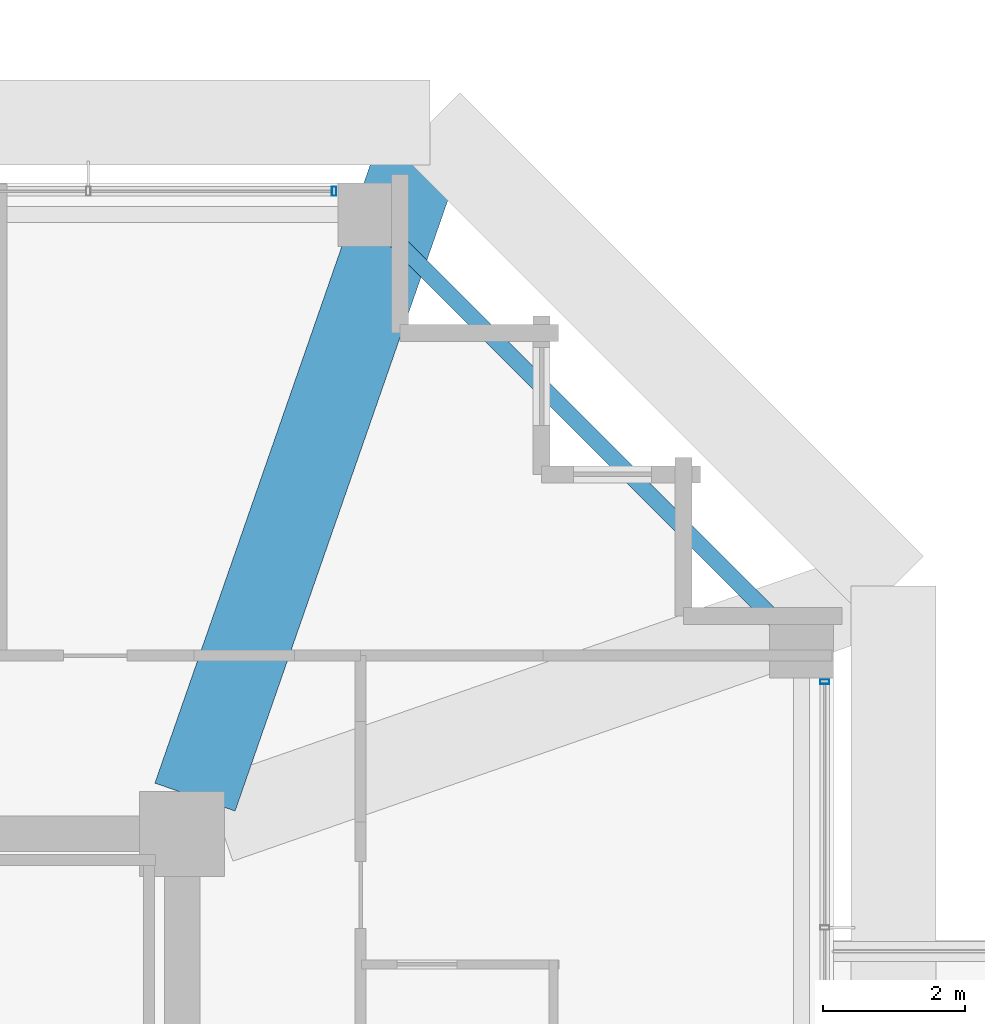
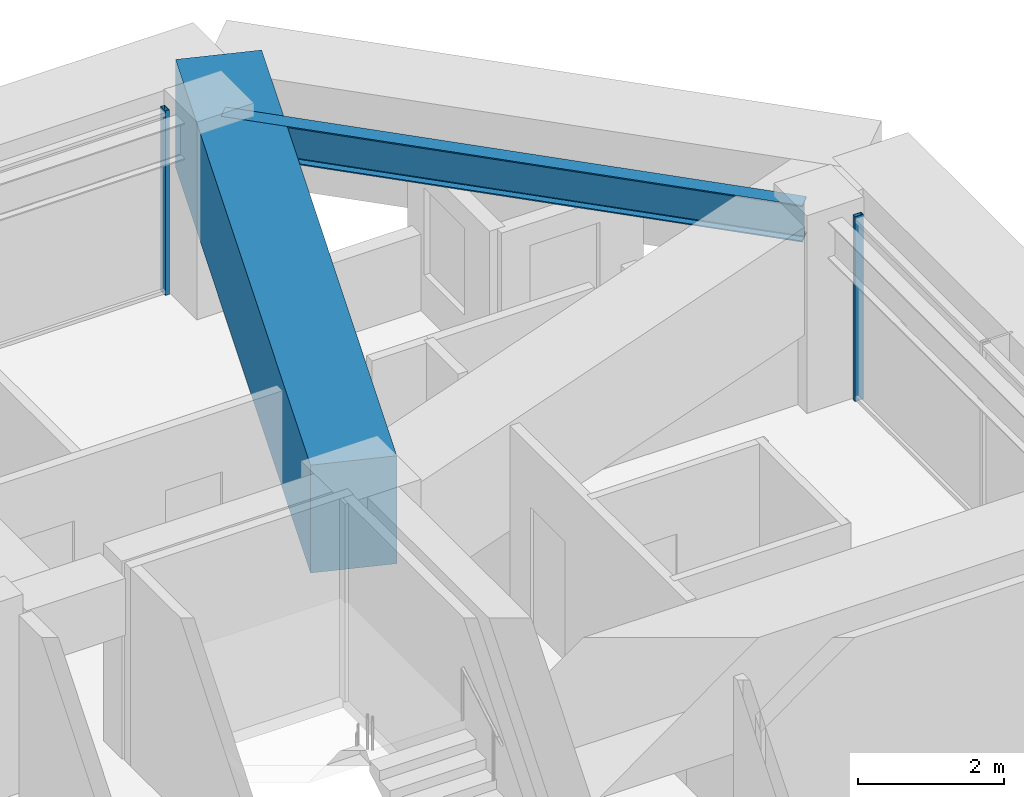
# One storey, part 27 of 40: 2 beams, 2 members, 2 elements without a shape of their own.
"""IFC4 building model written with IfcOpenShell, lengths in metres."""

from ifc_helpers import new_model, si_unit, direction, frame, origin, origin_2d, place, context, subcontext, project, spatial, rectangle, hollow_rectangle, i_section, extrude, material, material_profile, profile_set, type_object, element, aggregate, save


model = new_model("IFC4")

# Units and contexts
model_context = context("Model", 3, precision=1e-05, world=origin(), true_north=direction((0.0, 1.0)))
body_context = subcontext(model_context, "Body", "Model", "MODEL_VIEW")
ifc_project = project(units=[si_unit("LENGTHUNIT", "METRE"), si_unit("AREAUNIT", "SQUARE_METRE"), si_unit("VOLUMEUNIT", "CUBIC_METRE"), si_unit("PLANEANGLEUNIT", "RADIAN"), si_unit("MASSUNIT", "GRAM", prefix="KILO")], contexts=[model_context])

# Site, building, storey
site_placement = place(None, origin())
site = spatial("IfcSite", under=ifc_project, at=site_placement, CompositionType="ELEMENT")
building_placement = place(site_placement, origin())
building = spatial("IfcBuilding", under=site, at=building_placement, Name="Kolvaren Belvedere", CompositionType="ELEMENT")
storey_placement = place(building_placement, frame((0.0, 0.0, 170.10009765625)))
storey = spatial("IfcBuildingStorey", under=building, at=storey_placement, Name="L49", CompositionType="ELEMENT", Elevation=170.10009765625)

# Beams
ifc_material_1 = material(Name="Structural steel ASTM A992 Grade 50", Category="steel")
ifc_material_profile_1 = material_profile(ifc_material_1, i_section(OverallWidth=0.22900390625, OverallDepth=0.612060546875, WebThickness=0.011962890625, FlangeThickness=0.01953125, FilletRadius=0.01806640625, at=origin_2d()), Name="W24X84")
ifc_profile_set_1 = profile_set([ifc_material_profile_1], Name="Structural steel ASTM A992 Grade 50")
beam_type_1 = type_object("IfcBeamType", Name="BM-SPAN-W24X84", PredefinedType="SPANDREL", material=ifc_profile_set_1)
beam_1_placement = place(storey_placement, frame((18.5068359375, 12.693115234375, 2.77392578125), z_axis=(-0.707106781187, 0.707106781187, 0.0), x_axis=(-0.707106781187, -0.707106781187, 0.0)))
element("IfcBeam", 1, at=beam_1_placement, inside=storey, type_object=beam_type_1, Name="L49 Perimeter Spandrel E4-N4", PredefinedType="SPANDREL", context=body_context, shape_type="SweptSolid", body=[
    extrude(i_section(OverallWidth=0.22900390625, OverallDepth=0.612060546875, WebThickness=0.011962890625, FlangeThickness=0.01953125, FilletRadius=0.01806640625, at=origin_2d()), origin(), (0.0, 0.0, 1.0), 8.221923828125),
])
ifc_material_2 = material(Name="Concrete C50/60", Category="concrete")
ifc_material_profile_2 = material_profile(ifc_material_2, rectangle(XDim=1.199951171875, YDim=1.800048828125, at=origin_2d()), Name="RC 1200X1800")
ifc_profile_set_2 = profile_set([ifc_material_profile_2], Name="Concrete C50/60")
beam_type_2 = type_object("IfcBeamType", Name="BM-TG-1800", PredefinedType="BEAM", material=ifc_profile_set_2)
beam_2_placement = place(storey_placement, frame((10.080810546875, 10.41943359375, 2.179931640625), z_axis=(0.328902560054, 0.944363863132, 0.0), x_axis=(-0.944363863132, 0.328902560054, 0.0)))
element("IfcBeam", 2, at=beam_2_placement, inside=storey, type_object=beam_type_2, Name="L49 Corner Core-to-Perimeter Girder CC3-N4", PredefinedType="BEAM", context=body_context, shape_type="SweptSolid", body=[
    extrude(rectangle(XDim=1.199951171875, YDim=1.800048828125, at=origin_2d()), origin(), (0.0, 0.0, 1.0), 9.842041015625),
])

# Curtain wall, member
ifc_material_3 = material(Name="Anodised pale-metal aluminium AA 6063-T6", Category="aluminium")
curtain_wall_type = type_object("IfcCurtainWallType", Name="CW-Z3-WAIST", PredefinedType="NOTDEFINED", material=ifc_material_3)
curtain_wall_1_placement = place(storey_placement, origin())
curtain_wall_1 = element("IfcCurtainWall", 3, at=curtain_wall_1_placement, inside=storey, type_object=curtain_wall_type, Name="L49 Unitised Curtain Wall FCW-L49-E1-B1", PredefinedType="NOTDEFINED")
ifc_material_4 = material(Name="Anodised pale-metal aluminium AA 6063-T6", Category="aluminium")
ifc_material_profile_3 = material_profile(ifc_material_4, hollow_rectangle(XDim=0.06494140625, YDim=0.1298828125, WallThickness=0.00390625, at=origin_2d()), Name="ALU-MUL-130X65")
ifc_profile_set_3 = profile_set([ifc_material_profile_3], Name="Anodised pale-metal aluminium AA 6063-T6")
member_type = type_object("IfcMemberType", Name="CW-MUL-130", PredefinedType="MULLION", material=ifc_profile_set_3)
member_1_placement = place(storey_placement, frame((18.97998046875, 12.047607421875, 0.0), z_axis=(0.0, 0.0, 1.0), x_axis=(0.0, 1.0, 0.0)))
member_1 = element("IfcMember", 4, at=member_1_placement, type_object=member_type, Name="FCW-L49-E1-B1 Unitised Mullion 1", PredefinedType="MULLION", context=body_context, shape_type="SweptSolid", body=[
    extrude(hollow_rectangle(XDim=0.06494140625, YDim=0.1298828125, WallThickness=0.00390625, at=origin_2d()), origin(), (0.0, 0.0, 1.0), 3.079833984375),
])
aggregate(curtain_wall_1, [member_1])

curtain_wall_2_placement = place(storey_placement, origin())
curtain_wall_2 = element("IfcCurtainWall", 5, at=curtain_wall_2_placement, inside=storey, type_object=curtain_wall_type, Name="L49 Unitised Curtain Wall FCW-L49-N-B3", PredefinedType="NOTDEFINED")
member_2_placement = place(storey_placement, frame((12.047607421875, 18.97998046875, 0.0), z_axis=(0.0, 0.0, 1.0), x_axis=(1.0, 0.0, 0.0)))
member_2 = element("IfcMember", 6, at=member_2_placement, type_object=member_type, Name="FCW-L49-N-B3 Unitised Mullion 3", PredefinedType="MULLION", context=body_context, shape_type="SweptSolid", body=[
    extrude(hollow_rectangle(XDim=0.06494140625, YDim=0.1298828125, WallThickness=0.00390625, at=origin_2d()), origin(), (0.0, 0.0, 1.0), 3.079833984375),
])
aggregate(curtain_wall_2, [member_2])

save(model, "model.ifc")
